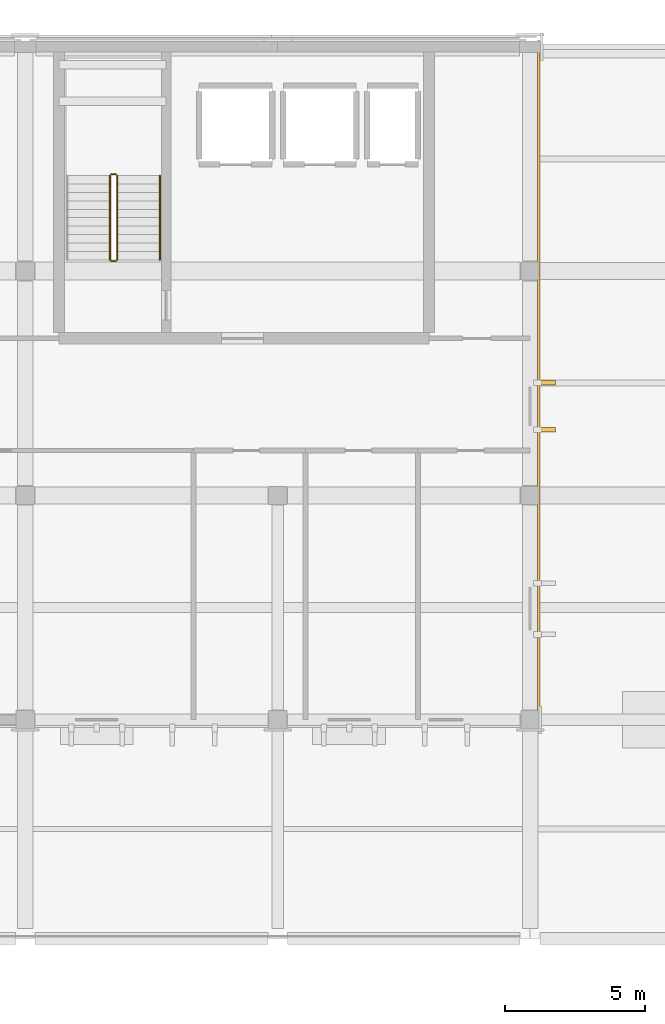
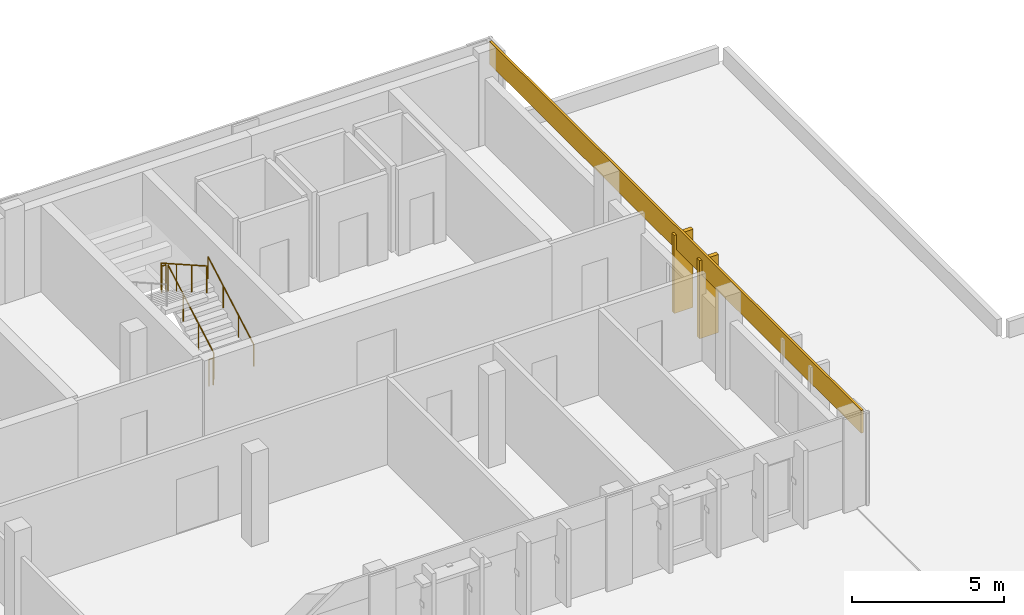
# One storey, part 22 of 23: 5 railings, 2 shading devices, 1 covering.
"""IFC4 building model written with IfcOpenShell, lengths in metres."""

from ifc_helpers import new_model, si_unit, direction, frame, origin, origin_2d, place, context, subcontext, project, spatial, rectangle, circle, extrude, material, layer, layer_set, type_object, element, save


model = new_model("IFC4")

# Units and contexts
model_context = context("Model", 3, precision=1e-05, world=origin(), true_north=direction((0.0, 1.0)))
body_context = subcontext(model_context, "Body", "Model", "MODEL_VIEW")
ifc_project = project(units=[si_unit("LENGTHUNIT", "METRE"), si_unit("AREAUNIT", "SQUARE_METRE"), si_unit("VOLUMEUNIT", "CUBIC_METRE"), si_unit("PLANEANGLEUNIT", "RADIAN"), si_unit("MASSUNIT", "GRAM", prefix="KILO")], contexts=[model_context])

# Site, building, storey
site_placement = place(None, origin())
site = spatial("IfcSite", under=ifc_project, at=site_placement, CompositionType="ELEMENT")
building_placement = place(site_placement, origin())
building = spatial("IfcBuilding", under=site, at=building_placement, Name="Vervanel Yard Central Library", CompositionType="ELEMENT")
storey_placement = place(building_placement, frame((0.0, 0.0, 16.52001953125)))
storey = spatial("IfcBuildingStorey", under=building, at=storey_placement, Name="L04", CompositionType="ELEMENT", Elevation=16.52001953125)

# Railing
ifc_material_1 = material(Name="Brushed stainless steel AISI 316", Category="steel")
railing_type_1 = type_object("IfcRailingType", Name="Brushed Stainless Stair Handrail 900", PredefinedType="HANDRAIL", material=ifc_material_1)
railing_1_placement = place(storey_placement, frame((67.800048828125, 106.39990234375, 0.169921875)))
element("IfcRailing", 1, at=railing_1_placement, inside=storey, type_object=railing_type_1, Name="L04 ST-02 stair handrail 1", PredefinedType="HANDRAIL", context=body_context, shape_type="SweptSolid", body=[
    extrude(circle(Radius=0.02392578125, at=origin_2d()), frame((0.0, 0.0, 0.8759765625), z_axis=(0.0, 0.870028259722, 0.493001853226), x_axis=(-1.0, 0.0, 0.0)), (0.0, 0.0, 1.0), 3.4482421875),
    extrude(circle(Radius=0.02099609375, at=origin_2d()), origin(), (0.0, 0.0, 1.0), 0.851806640625),
    extrude(circle(Radius=0.02099609375, at=origin_2d()), frame((0.0, 1.0, 0.566650390625)), (0.0, 0.0, 1.0), 0.851806640625),
    extrude(circle(Radius=0.02099609375, at=origin_2d()), frame((0.0, 2.0, 1.13330078125)), (0.0, 0.0, 1.0), 0.851806640625),
    extrude(circle(Radius=0.02099609375, at=origin_2d()), frame((0.0, 3.0, 1.699951171875)), (0.0, 0.0, 1.0), 0.851806640625),
])

# Covering
ifc_material_2 = material(Name="Precast concrete C45/55", Category="concrete")
ifc_layer = layer(ifc_material_2, 0.0849609375, Category="concrete")
ifc_layer_set = layer_set([ifc_layer], Name="Precast concrete C45/55")
covering_type = type_object("IfcCoveringType", Name="Bush-Hammered Precast Architectural Cladding Panel", PredefinedType="CLADDING", material=ifc_layer_set)
covering_placement = place(storey_placement, frame((81.31494140625, 102.0, 2.840087890625), z_axis=(0.0, 0.0, 1.0), x_axis=(0.0, 1.0, 0.0)))
element("IfcCovering", 2, at=covering_placement, inside=storey, type_object=covering_type, Name="L04 Precast Concrete Spandrel Cornice EWALL-L04-0071", PredefinedType="CLADDING", context=body_context, shape_type="SweptSolid", body=[
    extrude(rectangle(XDim=24.449951171875, YDim=0.0849609375, at=origin_2d()), origin(), (0.0, 0.0, 1.0), 0.919921875),
])

# Railings
ifc_material_3 = material(Name="Galvanized painted steelwork ASTM A500 Grade C", Category="steel")
railing_type_2 = type_object("IfcRailingType", Name="Painted Steel Guardrail 1100", PredefinedType="GUARDRAIL", material=ifc_material_3)
railing_2_placement = place(storey_placement, frame((66.280029296875, 106.39990234375, 0.169921875)))
element("IfcRailing", 3, at=railing_2_placement, inside=storey, type_object=railing_type_2, Name="L04 ST-02 stair guard 1", PredefinedType="GUARDRAIL", context=body_context, shape_type="SweptSolid", body=[
    extrude(circle(Radius=0.02392578125, at=origin_2d()), frame((0.0, 0.0, 1.076171875), z_axis=(0.0, 0.870028259722, 0.493001853226), x_axis=(-1.0, 0.0, 0.0)), (0.0, 0.0, 1.0), 3.4482421875),
    extrude(circle(Radius=0.02099609375, at=origin_2d()), origin(), (0.0, 0.0, 1.0), 1.052001953125),
    extrude(circle(Radius=0.02099609375, at=origin_2d()), frame((0.0, 1.0, 0.566650390625)), (0.0, 0.0, 1.0), 1.052001953125),
    extrude(circle(Radius=0.02099609375, at=origin_2d()), frame((0.0, 2.0, 1.13330078125)), (0.0, 0.0, 1.0), 1.052001953125),
    extrude(circle(Radius=0.02099609375, at=origin_2d()), frame((0.0, 3.0, 1.699951171875)), (0.0, 0.0, 1.0), 1.052001953125),
])
railing_3_placement = place(storey_placement, frame((66.22998046875, 109.449951171875, 1.869873046875)))
element("IfcRailing", 4, at=railing_3_placement, inside=storey, type_object=railing_type_2, Name="L04 ST-02 stair guard 2", PredefinedType="GUARDRAIL", context=body_context, shape_type="SweptSolid", body=[
    extrude(circle(Radius=0.02392578125, at=origin_2d()), frame((0.0, 0.0, 1.076171875), z_axis=(-1.0, 0.0, 0.0), x_axis=(0.0, -1.0, 0.0)), (0.0, 0.0, 1.0), 0.159912109375),
    extrude(circle(Radius=0.02099609375, at=origin_2d()), origin(), (0.0, 0.0, 1.0), 1.052001953125),
    extrude(circle(Radius=0.02099609375, at=origin_2d()), frame((-0.159912109375, 0.0, 0.0)), (0.0, 0.0, 1.0), 1.052001953125),
])
railing_4_placement = place(storey_placement, frame((66.02001953125, 109.39990234375, 2.0400390625)))
element("IfcRailing", 5, at=railing_4_placement, inside=storey, type_object=railing_type_2, Name="L04 ST-02 stair guard 3", PredefinedType="GUARDRAIL", context=body_context, shape_type="SweptSolid", body=[
    extrude(circle(Radius=0.02392578125, at=origin_2d()), frame((0.0, 0.0, 1.076171875), z_axis=(0.0, -0.870028259722, 0.493001853226), x_axis=(1.0, 0.0, 0.0)), (0.0, 0.0, 1.0), 3.4482421875),
    extrude(circle(Radius=0.02099609375, at=origin_2d()), origin(), (0.0, 0.0, 1.0), 1.052001953125),
    extrude(circle(Radius=0.02099609375, at=origin_2d()), frame((0.0, -1.0, 0.566650390625)), (0.0, 0.0, 1.0), 1.052001953125),
    extrude(circle(Radius=0.02099609375, at=origin_2d()), frame((0.0, -2.0, 1.13330078125)), (0.0, 0.0, 1.0), 1.052001953125),
    extrude(circle(Radius=0.02099609375, at=origin_2d()), frame((0.0, -3.0, 1.699951171875)), (0.0, 0.0, 1.0), 1.052001953125),
])
railing_5_placement = place(storey_placement, frame((66.22998046875, 106.35009765625, 0.0)))
element("IfcRailing", 6, at=railing_5_placement, inside=storey, type_object=railing_type_2, Name="L04 ST-02 stair guard 4", PredefinedType="GUARDRAIL", context=body_context, shape_type="SweptSolid", body=[
    extrude(circle(Radius=0.02392578125, at=origin_2d()), frame((0.0, 0.0, 1.076171875), z_axis=(-1.0, 0.0, 0.0), x_axis=(0.0, -1.0, 0.0)), (0.0, 0.0, 1.0), 0.159912109375),
    extrude(circle(Radius=0.02099609375, at=origin_2d()), origin(), (0.0, 0.0, 1.0), 1.052001953125),
    extrude(circle(Radius=0.02099609375, at=origin_2d()), frame((-0.159912109375, 0.0, 0.0)), (0.0, 0.0, 1.0), 1.052001953125),
])

# Shading devices
shading_device_type = type_object("IfcShadingDeviceType", Name="Vertical Precast Solar Fin 160x720x3200", PredefinedType="JALOUSIE", material=ifc_material_2)
for number, where, z_axis, x_axis, name in (
    (7, (81.550048828125, 100.340087890625, 0.30517578125), (0.0, 0.0, 1.0), (0.0, 1.0, 0.0), "L04 Precast Solar Fin 203"),
    (8, (81.550048828125, 102.010009765625, 0.30517578125), (0.0, 0.0, 1.0), (0.0, 1.0, 0.0), "L04 Precast Solar Fin 204"),
):
    element("IfcShadingDevice", number, at=place(storey_placement, frame(where, z_axis=z_axis, x_axis=x_axis)), inside=storey, type_object=shading_device_type, Name=name, PredefinedType="JALOUSIE", context=body_context, shape_type="SweptSolid", body=[
        extrude(rectangle(XDim=0.159912109375, YDim=0.719970703125, at=origin_2d()), origin(), (0.0, 0.0, 1.0), 3.139892578125),
    ])

save(model, "model.ifc")
